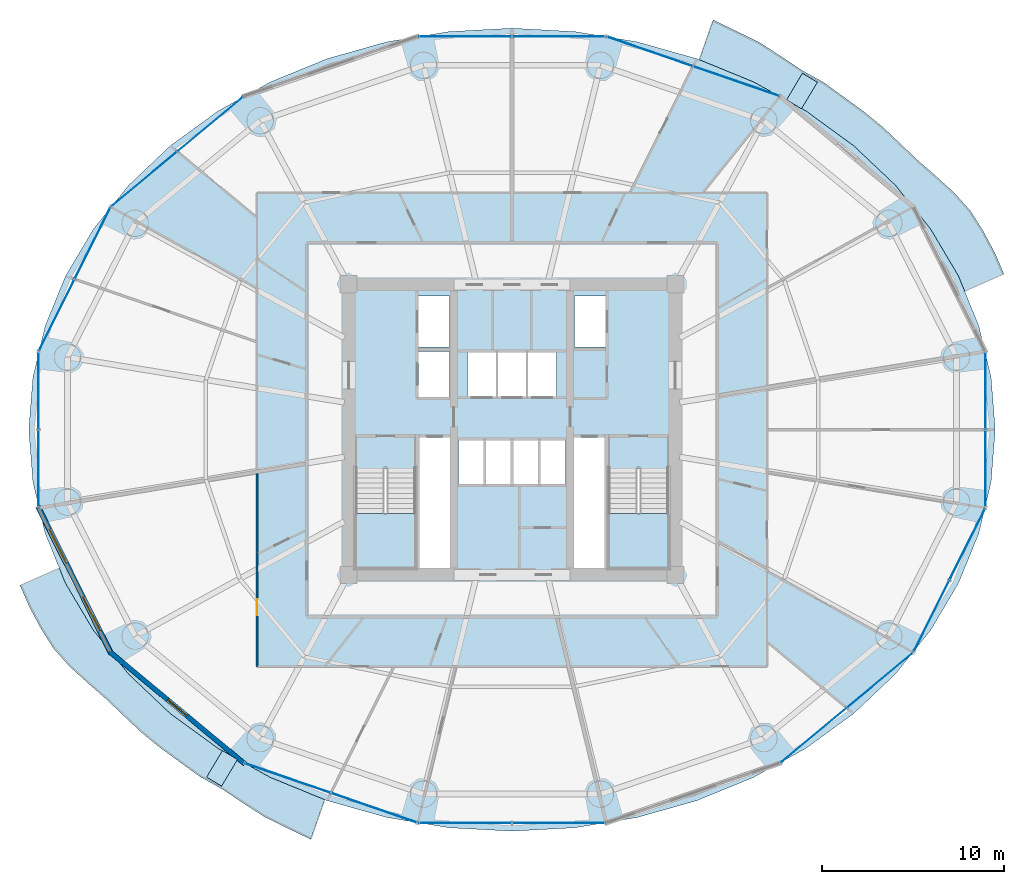
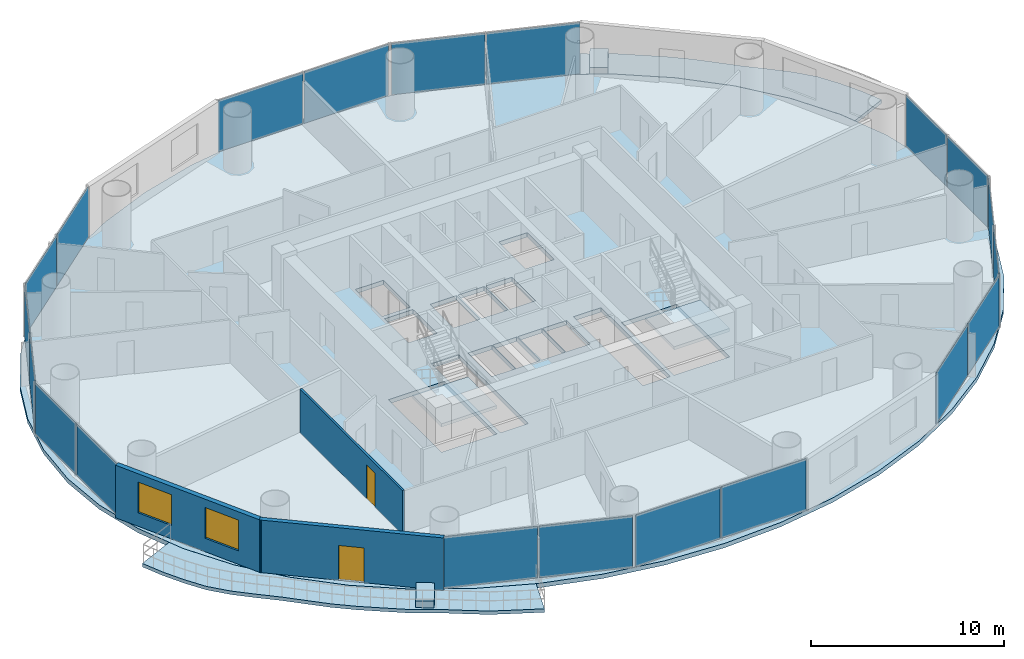
# One storey, part 21 of 29: 20 plates, 7 slabs, 3 walls, 2 doors, 2 windows, 4 openings, 12 elements without a shape of their own.
"""IFC4 building model written with IfcOpenShell, lengths in metres."""

from ifc_helpers import new_model, si_unit, direction, frame, frame_2d, origin, origin_2d, place, context, subcontext, project, spatial, polyline, rectangle, outline, extrude, source, transform, mapped, material, layer, layer_set, type_object, element, fill, aggregate, save


model = new_model("IFC4")

# Units and contexts
model_context = context("Model", 3, precision=1e-05, world=origin(), true_north=direction((-0.2419218956, 0.970295726276)))
body_context = subcontext(model_context, "Body", "Model", "MODEL_VIEW")
ifc_project = project(units=[si_unit("LENGTHUNIT", "METRE"), si_unit("AREAUNIT", "SQUARE_METRE"), si_unit("VOLUMEUNIT", "CUBIC_METRE"), si_unit("PLANEANGLEUNIT", "RADIAN"), si_unit("MASSUNIT", "GRAM", prefix="KILO")], contexts=[model_context])

# Site, building, storey
site_placement = place(None, origin())
site = spatial("IfcSite", under=ifc_project, at=site_placement, CompositionType="ELEMENT")
building_placement = place(site_placement, origin())
building = spatial("IfcBuilding", under=site, at=building_placement, Name="Cobrevalo Terracotta Tower", CompositionType="ELEMENT")
storey_placement = place(building_placement, frame((0.0, 0.0, 83.39990234375)))
storey = spatial("IfcBuildingStorey", under=building, at=storey_placement, Name="L21", CompositionType="ELEMENT", Elevation=83.39990234375)

# Stair, slab
ifc_material_1 = material(Name="Concrete C50", Category="concrete")
stair_type = type_object("IfcStairType", Name="Core protected escape dogleg stair 1600", PredefinedType="HALF_TURN_STAIR", material=ifc_material_1)
stair_1_placement = place(storey_placement, origin())
stair_1 = element("IfcStair", 1, at=stair_1_placement, inside=storey, type_object=stair_type, Name="L21 Protected exit stair ST-1", PredefinedType="HALF_TURN_STAIR")
ifc_layer_1 = layer(ifc_material_1, 0.199951171875)
ifc_layer_set_1 = layer_set([ifc_layer_1], Name="Concrete C50")
slab_type_1 = type_object("IfcSlabType", Name="Reinforced Concrete Stair Landing 200", PredefinedType="LANDING", material=ifc_layer_set_1)
slab_1_placement = place(storey_placement, frame((0.0, 0.0, 1.60009765625)))
slab_1 = element("IfcSlab", 2, at=slab_1_placement, type_object=slab_type_1, Name="ST-1 landing 1", PredefinedType="LANDING", context=body_context, shape_type="SweptSolid", body=[
    extrude(outline(polyline([(29.375, 22.179931640625), (29.375, 19.175048828125), (32.695068359375, 19.175048828125), (32.695068359375, 22.179931640625), (29.375, 22.179931640625)])), origin(), (0.0, 0.0, 1.0), 0.199951171875),
])
aggregate(stair_1, [slab_1])

stair_2_placement = place(storey_placement, origin())
stair_2 = element("IfcStair", 3, at=stair_2_placement, inside=storey, type_object=stair_type, Name="L21 Protected exit stair ST-2", PredefinedType="HALF_TURN_STAIR")
slab_2_placement = place(storey_placement, frame((0.0, 0.0, 1.60009765625)))
slab_2 = element("IfcSlab", 4, at=slab_2_placement, type_object=slab_type_1, Name="ST-2 landing 1", PredefinedType="LANDING", context=body_context, shape_type="SweptSolid", body=[
    extrude(outline(polyline([(43.304931640625, 22.179931640625), (43.304931640625, 19.175048828125), (46.625, 19.175048828125), (46.625, 22.179931640625), (43.304931640625, 22.179931640625)])), origin(), (0.0, 0.0, 1.0), 0.199951171875),
])
aggregate(stair_2, [slab_2])

# Slabs
ifc_material_2 = material(Name="Concrete C45", Category="concrete")
ifc_layer_2 = layer(ifc_material_2, 0.219970703125)
ifc_layer_set_2 = layer_set([ifc_layer_2], Name="Concrete C45")
slab_type_2 = type_object("IfcSlabType", Name="Spiralling cantilevered balcony lobe slab 220 mm", PredefinedType="FLOOR", material=ifc_layer_set_2)
slab_3_placement = place(storey_placement, frame((0.0, 0.0, -0.219970703125)))
element("IfcSlab", 5, at=slab_3_placement, inside=storey, type_object=slab_type_2, Name="L21 spiralling arc balcony slab lobe 1", PredefinedType="FLOOR", context=body_context, shape_type="SweptSolid", body=[
    extrude(outline(polyline([(65.08154296875, 35.3662109375), (64.5634765625, 36.557373046875), (63.943603515625, 37.720703125), (63.241943359375, 38.8349609375), (62.35400390625, 39.830078125), (61.36083984375, 40.734130859375), (60.362060546875, 41.604736328125), (59.395751953125, 42.52490234375), (58.427001953125, 43.440185546875), (57.387451171875, 44.293212890625), (56.28955078125, 45.094482421875), (55.1904296875, 45.89111328125), (53.98193359375, 46.566162109375), (52.82421875, 47.33740234375), (51.640869140625, 48.105224609375), (50.364013671875, 48.731201171875), (49.0771484375, 49.350341796875), (48.313232421875, 47.1650390625), (51.301025390625, 45.94091796875), (54.1943359375, 44.334716796875), (56.810546875, 42.428466796875), (59.104736328125, 40.2548828125), (61.0380859375, 37.85107421875), (62.5771484375, 35.258056640625), (62.923095703125, 34.411376953125), (65.08154296875, 35.3662109375)])), origin(), (0.0, 0.0, 1.0), 0.219970703125),
])
slab_4_placement = place(storey_placement, frame((0.0, 0.0, -0.219970703125)))
element("IfcSlab", 6, at=slab_4_placement, inside=storey, type_object=slab_type_2, Name="L21 spiralling arc balcony slab lobe 2", PredefinedType="FLOOR", context=body_context, shape_type="SweptSolid", body=[
    extrude(outline(polyline([(10.91845703125, 18.23388671875), (11.4365234375, 17.04248046875), (12.056396484375, 15.879150390625), (12.758056640625, 14.764892578125), (13.64599609375, 13.77001953125), (14.63916015625, 12.86572265625), (15.637939453125, 11.995361328125), (16.604248046875, 11.0751953125), (17.572998046875, 10.15966796875), (18.612548828125, 9.306884765625), (19.71044921875, 8.505615234375), (20.8095703125, 7.708984375), (22.01806640625, 7.033935546875), (23.17578125, 6.2626953125), (24.359130859375, 5.49462890625), (25.635986328125, 4.86865234375), (26.9228515625, 4.24951171875), (27.686767578125, 6.434814453125), (24.698974609375, 7.6591796875), (21.8056640625, 9.265380859375), (19.189453125, 11.171630859375), (16.895263671875, 13.34521484375), (14.9619140625, 15.7490234375), (13.4228515625, 18.342041015625), (13.076904296875, 19.188720703125), (10.91845703125, 18.23388671875)])), origin(), (0.0, 0.0, 1.0), 0.219970703125),
])
ifc_material_3 = material(Name="Precast concrete C45", Category="concrete")
ifc_layer_3 = layer(ifc_material_3, 0.419921875)
ifc_layer_set_3 = layer_set([ifc_layer_3], Name="Precast concrete C45")
slab_type_3 = type_object("IfcSlabType", Name="Structural tree planter trough base 420 mm", PredefinedType="USERDEFINED", material=ifc_layer_set_3)
slab_5_placement = place(storey_placement, origin())
element("IfcSlab", 7, at=slab_5_placement, inside=storey, type_object=slab_type_3, Name="L21 structural tree planter trough 1", ObjectType="PLANTER", PredefinedType="USERDEFINED", context=body_context, shape_type="SweptSolid", body=[
    extrude(outline(polyline([(53.935791015625, 44.46484375), (54.80810546875, 45.923828125), (53.984375, 46.41650390625), (53.11181640625, 44.95751953125), (53.935791015625, 44.46484375)])), origin(), (0.0, 0.0, 1.0), 0.420166015625),
])
slab_6_placement = place(storey_placement, origin())
element("IfcSlab", 8, at=slab_6_placement, inside=storey, type_object=slab_type_3, Name="L21 structural tree planter trough 2", ObjectType="PLANTER", PredefinedType="USERDEFINED", context=body_context, shape_type="SweptSolid", body=[
    extrude(outline(polyline([(22.064208984375, 9.13525390625), (21.19189453125, 7.67626953125), (22.015625, 7.183349609375), (22.88818359375, 8.642578125), (22.064208984375, 9.13525390625)])), origin(), (0.0, 0.0, 1.0), 0.420166015625),
])
ifc_layer_4 = layer(ifc_material_1, 0.27490234375)
ifc_layer_set_4 = layer_set([ifc_layer_4], Name="Concrete C50")
slab_type_4 = type_object("IfcSlabType", Name="Zone Z2 elliptical floor plate 275 mm", PredefinedType="FLOOR", material=ifc_layer_set_4)
slab_7_placement = place(storey_placement, frame((0.0, 0.0, -0.27490234375)))
element("IfcSlab", 9, at=slab_7_placement, inside=storey, type_object=slab_type_4, Name="L21 indoor elliptical floor slab", PredefinedType="FLOOR", context=body_context, shape_type="SweptSolid", body=[
    extrude(outline(polyline([(64.372314453125, 23.915283203125), (63.693603515625, 21.080078125), (62.5751953125, 18.3427734375), (61.036376953125, 15.75), (59.103271484375, 13.346435546875), (56.80908203125, 11.1728515625), (54.193115234375, 9.266845703125), (51.300048828125, 7.660888671875), (48.179443359375, 6.38232421875), (44.884521484375, 5.453125), (41.471923828125, 4.88916015625), (38.0, 4.699951171875), (34.528076171875, 4.88916015625), (31.115478515625, 5.453125), (27.820556640625, 6.38232421875), (24.699951171875, 7.660888671875), (21.806884765625, 9.266845703125), (19.19091796875, 11.1728515625), (16.896728515625, 13.346435546875), (14.963623046875, 15.75), (13.4248046875, 18.3427734375), (12.306396484375, 21.080078125), (11.627685546875, 23.915283203125), (11.39990234375, 26.800048828125), (11.627685546875, 29.6845703125), (12.306396484375, 32.52001953125), (13.4248046875, 35.25732421875), (14.963623046875, 37.85009765625), (16.896728515625, 40.253662109375), (19.19091796875, 42.427001953125), (21.806884765625, 44.3330078125), (24.699951171875, 45.939208984375), (27.820556640625, 47.2177734375), (31.115478515625, 48.14697265625), (34.528076171875, 48.7109375), (38.0, 48.89990234375), (41.471923828125, 48.7109375), (44.884521484375, 48.14697265625), (48.179443359375, 47.2177734375), (51.300048828125, 45.939208984375), (54.193115234375, 44.3330078125), (56.80908203125, 42.427001953125), (59.103271484375, 40.253662109375), (61.036376953125, 37.85009765625), (62.5751953125, 35.25732421875), (63.693603515625, 32.52001953125), (64.372314453125, 29.6845703125), (64.60009765625, 26.800048828125), (64.372314453125, 23.915283203125)]), holes=[polyline([(32.695068359375, 19.175048828125), (32.695068359375, 24.659912109375), (29.375, 24.659912109375), (29.375, 19.175048828125), (32.695068359375, 19.175048828125)]), polyline([(34.574951171875, 19.175048828125), (34.574951171875, 26.360107421875), (32.919921875, 26.360107421875), (32.919921875, 19.175048828125), (34.574951171875, 19.175048828125)]), polyline([(36.47998046875, 23.800048828125), (36.47998046875, 26.25), (35.050048828125, 26.25), (35.050048828125, 23.800048828125), (36.47998046875, 23.800048828125)]), polyline([(37.9599609375, 23.800048828125), (37.9599609375, 26.25), (36.530029296875, 26.25), (36.530029296875, 23.800048828125), (37.9599609375, 23.800048828125)]), polyline([(37.1201171875, 28.60009765625), (37.1201171875, 31.050048828125), (35.550048828125, 31.050048828125), (35.550048828125, 28.60009765625), (37.1201171875, 28.60009765625)]), polyline([(34.550048828125, 28.60009765625), (34.550048828125, 31.10009765625), (32.85009765625, 31.10009765625), (32.85009765625, 28.60009765625), (34.550048828125, 28.60009765625)]), polyline([(34.550048828125, 31.35009765625), (34.550048828125, 34.14990234375), (32.85009765625, 34.14990234375), (32.85009765625, 31.35009765625), (34.550048828125, 31.35009765625)]), polyline([(46.625, 19.175048828125), (46.625, 24.659912109375), (43.304931640625, 24.659912109375), (43.304931640625, 19.175048828125), (46.625, 19.175048828125)]), polyline([(43.080078125, 19.175048828125), (43.080078125, 26.360107421875), (41.425048828125, 26.360107421875), (41.425048828125, 19.175048828125), (43.080078125, 19.175048828125)]), polyline([(39.469970703125, 23.800048828125), (39.469970703125, 26.25), (38.0400390625, 26.25), (38.0400390625, 23.800048828125), (39.469970703125, 23.800048828125)]), polyline([(40.949951171875, 23.800048828125), (40.949951171875, 26.25), (39.52001953125, 26.25), (39.52001953125, 23.800048828125), (40.949951171875, 23.800048828125)]), polyline([(38.780029296875, 28.60009765625), (38.780029296875, 31.050048828125), (37.219970703125, 31.050048828125), (37.219970703125, 28.60009765625), (38.780029296875, 28.60009765625)]), polyline([(40.449951171875, 28.60009765625), (40.449951171875, 31.050048828125), (38.8798828125, 31.050048828125), (38.8798828125, 28.60009765625), (40.449951171875, 28.60009765625)]), polyline([(43.14990234375, 31.35009765625), (43.14990234375, 34.14990234375), (41.449951171875, 34.14990234375), (41.449951171875, 31.35009765625), (43.14990234375, 31.35009765625)])]), origin(), (0.0, 0.0, 1.0), 0.27490234375),
])

# Curtain wall, plates
ifc_material_4 = material(Name="Anodized aluminium", Category="aluminium")
curtain_wall_type = type_object("IfcCurtainWallType", Name="Lower-tower unitised acoustic low-E curtain wall CW-U1", PredefinedType="NOTDEFINED", material=ifc_material_4)
curtain_wall_1_placement = place(storey_placement, origin())
curtain_wall_1 = element("IfcCurtainWall", 10, at=curtain_wall_1_placement, inside=storey, type_object=curtain_wall_type, Name="L21 curtain wall CW-L21-S03", PredefinedType="NOTDEFINED")
ifc_material_5 = material(Name="Solar-control low-E double glazing", Category="glass")
ifc_layer_5 = layer(ifc_material_5, 0.028076171875)
ifc_layer_set_5 = layer_set([ifc_layer_5], Name="Solar-control low-E double glazing")
plate_type = type_object("IfcPlateType", Name="Tower solar-control low-E vision glass panel 28 mm", PredefinedType="CURTAIN_PANEL", material=ifc_layer_set_5)
shared_shape_1 = source(origin(), body_context, "Body", "SweptSolid", [
    extrude(rectangle(XDim=4.944580078125, YDim=0.035888671875, at=origin_2d()), origin(), (0.0, 0.0, 1.0), 3.2451171875),
])
plate_1_placement = place(storey_placement, frame((50.34814453125, 45.98095703125, 0.0400390625), z_axis=(0.0, 0.0, 1.0), x_axis=(-0.945596395206, 0.325342062104, 0.0)))
plate_1 = element("IfcPlate", 11, at=plate_1_placement, type_object=plate_type, Name="CW-L21-S03 glazing panel B01", PredefinedType="CURTAIN_PANEL", context=body_context, shape_type="MappedRepresentation", body=[
    mapped(shared_shape_1, transform((0.0, 0.0, 0.0), scale=1.0)),
])
plate_2_placement = place(storey_placement, frame((45.596923828125, 47.615478515625, 0.0400390625), z_axis=(0.0, 0.0, 1.0), x_axis=(-0.945596395206, 0.325342062104, 0.0)))
plate_2 = element("IfcPlate", 12, at=plate_2_placement, type_object=plate_type, Name="CW-L21-S03 glazing panel B02", PredefinedType="CURTAIN_PANEL", context=body_context, shape_type="MappedRepresentation", body=[
    mapped(shared_shape_1, transform((0.0, 0.0, 0.0), scale=1.0)),
])
aggregate(curtain_wall_1, [plate_1, plate_2])

curtain_wall_2_placement = place(storey_placement, origin())
curtain_wall_2 = element("IfcCurtainWall", 13, at=curtain_wall_2_placement, inside=storey, type_object=curtain_wall_type, Name="L21 curtain wall CW-L21-S11", PredefinedType="NOTDEFINED")
plate_3_placement = place(storey_placement, frame((25.65185546875, 7.619140625, 0.0400390625), z_axis=(0.0, 0.0, 1.0), x_axis=(0.945596395206, -0.325342062104, 0.0)))
plate_3 = element("IfcPlate", 14, at=plate_3_placement, type_object=plate_type, Name="CW-L21-S11 glazing panel B01", PredefinedType="CURTAIN_PANEL", context=body_context, shape_type="MappedRepresentation", body=[
    mapped(shared_shape_1, transform((0.0, 0.0, 0.0), scale=1.0)),
])
plate_4_placement = place(storey_placement, frame((30.403076171875, 5.984375, 0.0400390625), z_axis=(0.0, 0.0, 1.0), x_axis=(0.945596395206, -0.325342062104, 0.0)))
plate_4 = element("IfcPlate", 15, at=plate_4_placement, type_object=plate_type, Name="CW-L21-S11 glazing panel B02", PredefinedType="CURTAIN_PANEL", context=body_context, shape_type="MappedRepresentation", body=[
    mapped(shared_shape_1, transform((0.0, 0.0, 0.0), scale=1.0)),
])
aggregate(curtain_wall_2, [plate_3, plate_4])

curtain_wall_3_placement = place(storey_placement, origin())
curtain_wall_3 = element("IfcCurtainWall", 16, at=curtain_wall_3_placement, inside=storey, type_object=curtain_wall_type, Name="L21 curtain wall CW-L21-S04", PredefinedType="NOTDEFINED")
shared_shape_2 = source(origin(), body_context, "Body", "SweptSolid", [
    extrude(rectangle(XDim=5.0634765625, YDim=0.035888671875, at=origin_2d()), origin(), (0.0, 0.0, 1.0), 3.2451171875),
])
plate_5_placement = place(storey_placement, frame((40.57177734375, 48.446044921875, 0.0400390625), z_axis=(0.0, 0.0, 1.0), x_axis=(-1.0, 0.0, 0.0)))
plate_5 = element("IfcPlate", 17, at=plate_5_placement, type_object=plate_type, Name="CW-L21-S04 glazing panel B01", PredefinedType="CURTAIN_PANEL", context=body_context, shape_type="MappedRepresentation", body=[
    mapped(shared_shape_2, transform((0.0, 0.0, 0.0), scale=1.0)),
])
plate_6_placement = place(storey_placement, frame((35.42822265625, 48.446044921875, 0.0400390625), z_axis=(0.0, 0.0, 1.0), x_axis=(-1.0, 0.0, 0.0)))
plate_6 = element("IfcPlate", 18, at=plate_6_placement, type_object=plate_type, Name="CW-L21-S04 glazing panel B02", PredefinedType="CURTAIN_PANEL", context=body_context, shape_type="MappedRepresentation", body=[
    mapped(shared_shape_2, transform((0.0, 0.0, 0.0), scale=1.0)),
])
aggregate(curtain_wall_3, [plate_5, plate_6])

curtain_wall_4_placement = place(storey_placement, origin())
curtain_wall_4 = element("IfcCurtainWall", 19, at=curtain_wall_4_placement, inside=storey, type_object=curtain_wall_type, Name="L21 curtain wall CW-L21-S12", PredefinedType="NOTDEFINED")
plate_7_placement = place(storey_placement, frame((35.42822265625, 5.154052734375, 0.0400390625), z_axis=(0.0, 0.0, 1.0), x_axis=(1.0, 0.0, 0.0)))
plate_7 = element("IfcPlate", 20, at=plate_7_placement, type_object=plate_type, Name="CW-L21-S12 glazing panel B01", PredefinedType="CURTAIN_PANEL", context=body_context, shape_type="MappedRepresentation", body=[
    mapped(shared_shape_2, transform((0.0, 0.0, 0.0), scale=1.0)),
])
plate_8_placement = place(storey_placement, frame((40.57177734375, 5.154052734375, 0.0400390625), z_axis=(0.0, 0.0, 1.0), x_axis=(1.0, 0.0, 0.0)))
plate_8 = element("IfcPlate", 21, at=plate_8_placement, type_object=plate_type, Name="CW-L21-S12 glazing panel B02", PredefinedType="CURTAIN_PANEL", context=body_context, shape_type="MappedRepresentation", body=[
    mapped(shared_shape_2, transform((0.0, 0.0, 0.0), scale=1.0)),
])
aggregate(curtain_wall_4, [plate_7, plate_8])

curtain_wall_5_placement = place(storey_placement, origin())
curtain_wall_5 = element("IfcCurtainWall", 22, at=curtain_wall_5_placement, inside=storey, type_object=curtain_wall_type, Name="L21 curtain wall CW-L21-S06", PredefinedType="NOTDEFINED")
shared_shape_3 = source(origin(), body_context, "Body", "SweptSolid", [
    extrude(rectangle(XDim=4.64501953125, YDim=0.035888671875, at=origin_2d()), origin(), (0.0, 0.0, 1.0), 3.2451171875),
])
plate_9_placement = place(storey_placement, frame((21.390380859375, 43.615478515625, 0.0400390625), z_axis=(0.0, 0.0, 1.0), x_axis=(-0.769241221277, -0.638958483384, 0.0)))
plate_9 = element("IfcPlate", 23, at=plate_9_placement, type_object=plate_type, Name="CW-L21-S06 glazing panel B01", PredefinedType="CURTAIN_PANEL", context=body_context, shape_type="MappedRepresentation", body=[
    mapped(shared_shape_3, transform((0.0, 0.0, 0.0), scale=1.0)),
])
plate_10_placement = place(storey_placement, frame((17.755859375, 40.596435546875, 0.0400390625), z_axis=(0.0, 0.0, 1.0), x_axis=(-0.769241221277, -0.638958483384, 0.0)))
plate_10 = element("IfcPlate", 24, at=plate_10_placement, type_object=plate_type, Name="CW-L21-S06 glazing panel B02", PredefinedType="CURTAIN_PANEL", context=body_context, shape_type="MappedRepresentation", body=[
    mapped(shared_shape_3, transform((0.0, 0.0, 0.0), scale=1.0)),
])
aggregate(curtain_wall_5, [plate_9, plate_10])

curtain_wall_6_placement = place(storey_placement, origin())
curtain_wall_6 = element("IfcCurtainWall", 25, at=curtain_wall_6_placement, inside=storey, type_object=curtain_wall_type, Name="L21 curtain wall CW-L21-S14", PredefinedType="NOTDEFINED")
plate_11_placement = place(storey_placement, frame((54.609619140625, 9.984619140625, 0.0400390625), z_axis=(0.0, 0.0, 1.0), x_axis=(0.769241221277, 0.638958483384, 0.0)))
plate_11 = element("IfcPlate", 26, at=plate_11_placement, type_object=plate_type, Name="CW-L21-S14 glazing panel B01", PredefinedType="CURTAIN_PANEL", context=body_context, shape_type="MappedRepresentation", body=[
    mapped(shared_shape_3, transform((0.0, 0.0, 0.0), scale=1.0)),
])
plate_12_placement = place(storey_placement, frame((58.244140625, 13.00341796875, 0.0400390625), z_axis=(0.0, 0.0, 1.0), x_axis=(0.769241221277, 0.638958483384, 0.0)))
plate_12 = element("IfcPlate", 27, at=plate_12_placement, type_object=plate_type, Name="CW-L21-S14 glazing panel B02", PredefinedType="CURTAIN_PANEL", context=body_context, shape_type="MappedRepresentation", body=[
    mapped(shared_shape_3, transform((0.0, 0.0, 0.0), scale=1.0)),
])
aggregate(curtain_wall_6, [plate_11, plate_12])

curtain_wall_7_placement = place(storey_placement, origin())
curtain_wall_7 = element("IfcCurtainWall", 28, at=curtain_wall_7_placement, inside=storey, type_object=curtain_wall_type, Name="L21 curtain wall CW-L21-S07", PredefinedType="NOTDEFINED")
shared_shape_4 = source(origin(), body_context, "Body", "SweptSolid", [
    extrude(rectangle(XDim=4.3251953125, YDim=0.035888671875, at=origin_2d()), origin(), (0.0, 0.0, 1.0), 3.2451171875),
])
plate_13_placement = place(storey_placement, frame((14.906982421875, 37.0546875, 0.0400390625), z_axis=(0.0, 0.0, 1.0), x_axis=(-0.446261852127, -0.894902430065, 0.0)))
plate_13 = element("IfcPlate", 29, at=plate_13_placement, type_object=plate_type, Name="CW-L21-S07 glazing panel B01", PredefinedType="CURTAIN_PANEL", context=body_context, shape_type="MappedRepresentation", body=[
    mapped(shared_shape_4, transform((0.0, 0.0, 0.0), scale=1.0)),
])
plate_14_placement = place(storey_placement, frame((12.94140625, 33.112548828125, 0.0400390625), z_axis=(0.0, 0.0, 1.0), x_axis=(-0.446261852127, -0.894902430065, 0.0)))
plate_14 = element("IfcPlate", 30, at=plate_14_placement, type_object=plate_type, Name="CW-L21-S07 glazing panel B02", PredefinedType="CURTAIN_PANEL", context=body_context, shape_type="MappedRepresentation", body=[
    mapped(shared_shape_4, transform((0.0, 0.0, 0.0), scale=1.0)),
])
aggregate(curtain_wall_7, [plate_13, plate_14])

curtain_wall_8_placement = place(storey_placement, origin())
curtain_wall_8 = element("IfcCurtainWall", 31, at=curtain_wall_8_placement, inside=storey, type_object=curtain_wall_type, Name="L21 curtain wall CW-L21-S15", PredefinedType="NOTDEFINED")
plate_15_placement = place(storey_placement, frame((61.093017578125, 16.54541015625, 0.0400390625), z_axis=(0.0, 0.0, 1.0), x_axis=(0.446261852127, 0.894902430065, 0.0)))
plate_15 = element("IfcPlate", 32, at=plate_15_placement, type_object=plate_type, Name="CW-L21-S15 glazing panel B01", PredefinedType="CURTAIN_PANEL", context=body_context, shape_type="MappedRepresentation", body=[
    mapped(shared_shape_4, transform((0.0, 0.0, 0.0), scale=1.0)),
])
plate_16_placement = place(storey_placement, frame((63.05859375, 20.487548828125, 0.0400390625), z_axis=(0.0, 0.0, 1.0), x_axis=(0.446261852127, 0.894902430065, 0.0)))
plate_16 = element("IfcPlate", 33, at=plate_16_placement, type_object=plate_type, Name="CW-L21-S15 glazing panel B02", PredefinedType="CURTAIN_PANEL", context=body_context, shape_type="MappedRepresentation", body=[
    mapped(shared_shape_4, transform((0.0, 0.0, 0.0), scale=1.0)),
])
aggregate(curtain_wall_8, [plate_15, plate_16])

curtain_wall_9_placement = place(storey_placement, origin())
curtain_wall_9 = element("IfcCurtainWall", 34, at=curtain_wall_9_placement, inside=storey, type_object=curtain_wall_type, Name="L21 curtain wall CW-L21-S08", PredefinedType="NOTDEFINED")
shared_shape_5 = source(origin(), body_context, "Body", "SweptSolid", [
    extrude(rectangle(XDim=4.185546875, YDim=0.035888671875, at=origin_2d()), origin(), (0.0, 0.0, 1.0), 3.2451171875),
])
plate_17_placement = place(storey_placement, frame((11.9404296875, 28.932861328125, 0.0400390625), z_axis=(0.0, 0.0, 1.0), x_axis=(0.0, -1.0, 0.0)))
plate_17 = element("IfcPlate", 35, at=plate_17_placement, type_object=plate_type, Name="CW-L21-S08 glazing panel B01", PredefinedType="CURTAIN_PANEL", context=body_context, shape_type="MappedRepresentation", body=[
    mapped(shared_shape_5, transform((0.0, 0.0, 0.0), scale=1.0)),
])
plate_18_placement = place(storey_placement, frame((11.9404296875, 24.667236328125, 0.0400390625), z_axis=(0.0, 0.0, 1.0), x_axis=(0.0, -1.0, 0.0)))
plate_18 = element("IfcPlate", 36, at=plate_18_placement, type_object=plate_type, Name="CW-L21-S08 glazing panel B02", PredefinedType="CURTAIN_PANEL", context=body_context, shape_type="MappedRepresentation", body=[
    mapped(shared_shape_5, transform((0.0, 0.0, 0.0), scale=1.0)),
])
aggregate(curtain_wall_9, [plate_17, plate_18])

curtain_wall_10_placement = place(storey_placement, origin())
curtain_wall_10 = element("IfcCurtainWall", 37, at=curtain_wall_10_placement, inside=storey, type_object=curtain_wall_type, Name="L21 curtain wall CW-L21-S16", PredefinedType="NOTDEFINED")
plate_19_placement = place(storey_placement, frame((64.0595703125, 24.667236328125, 0.0400390625), z_axis=(0.0, 0.0, 1.0), x_axis=(0.0, 1.0, 0.0)))
plate_19 = element("IfcPlate", 38, at=plate_19_placement, type_object=plate_type, Name="CW-L21-S16 glazing panel B01", PredefinedType="CURTAIN_PANEL", context=body_context, shape_type="MappedRepresentation", body=[
    mapped(shared_shape_5, transform((0.0, 0.0, 0.0), scale=1.0)),
])
plate_20_placement = place(storey_placement, frame((64.0595703125, 28.932861328125, 0.0400390625), z_axis=(0.0, 0.0, 1.0), x_axis=(0.0, 1.0, 0.0)))
plate_20 = element("IfcPlate", 39, at=plate_20_placement, type_object=plate_type, Name="CW-L21-S16 glazing panel B02", PredefinedType="CURTAIN_PANEL", context=body_context, shape_type="MappedRepresentation", body=[
    mapped(shared_shape_5, transform((0.0, 0.0, 0.0), scale=1.0)),
])
aggregate(curtain_wall_10, [plate_19, plate_20])

# Wall, openings, windows
ifc_material_6 = material(Name="Autoclaved aerated concrete block", Category="concrete")
ifc_layer_6 = layer(ifc_material_6, 0.280029296875)
ifc_layer_set_6 = layer_set([ifc_layer_6], Name="Autoclaved aerated concrete block")
wall_type_1 = type_object("IfcWallType", Name="Insulated tower spandrel & pier wall 280 mm with terracotta rainscreen", PredefinedType="SOLIDWALL", material=ifc_layer_set_6)
wall_1_placement = place(storey_placement, frame((11.90478515625, 22.56591796875, 0.0), z_axis=(0.0, 0.0, 1.0), x_axis=(0.446274562077, -0.894896091869, 0.0)))
wall_1 = element("IfcWall", 40, at=wall_1_placement, inside=storey, type_object=wall_type_1, Name="L21 terracotta rainscreen pier wall S09", PredefinedType="SOLIDWALL", context=body_context, shape_type="SweptSolid", body=[
    extrude(rectangle(XDim=9.050048828125, YDim=0.280029296875, at=frame_2d((4.52490234375, 0.0))), origin(), (0.0, 0.0, 1.0), 3.3251953125),
])
opening_1_placement = place(wall_1_placement, frame((1.3935546875, 0.0, 0.85009765625)))
opening_1 = element("IfcOpeningElement", 41, at=opening_1_placement, cuts=wall_1, Name="Opening WN-10", PredefinedType="OPENING", context=body_context, shape_type="SweptSolid", body=[
    extrude(rectangle(XDim=2.10009765625, YDim=1.949951171875, at=frame_2d((1.050048828125, 0.97509765625))), frame((0.0, 0.14990234375, 0.0), z_axis=(0.0, -1.0, 0.0), x_axis=(1.0, 0.0, 0.0)), (0.0, 0.0, 1.0), 0.300048828125),
])
opening_2_placement = place(wall_1_placement, frame((5.556640625, 0.0, 0.85009765625)))
opening_2 = element("IfcOpeningElement", 42, at=opening_2_placement, cuts=wall_1, Name="Opening WN-10", PredefinedType="OPENING", context=body_context, shape_type="SweptSolid", body=[
    extrude(rectangle(XDim=2.10009765625, YDim=1.949951171875, at=frame_2d((1.050048828125, 0.97509765625))), frame((0.0, 0.14990234375, 0.0), z_axis=(0.0, -1.0, 0.0), x_axis=(1.0, 0.0, 0.0)), (0.0, 0.0, 1.0), 0.300048828125),
])
window_type = type_object("IfcWindowType", Name="Wide panoramic low-E aluminium window 2100x1950", PartitioningType="SINGLE_PANEL", PredefinedType="WINDOW", material=ifc_material_5)
shared_shape_6 = source(origin(), body_context, "Body", "SweptSolid", [
    extrude(rectangle(XDim=2.10009765625, YDim=1.949951171875, at=frame_2d((1.050048828125, 0.97509765625))), frame((0.0, 0.030029296875, 0.0), z_axis=(0.0, -1.0, 0.0), x_axis=(1.0, 0.0, 0.0)), (0.0, 0.0, 1.0), 0.06005859375),
])
window_1_placement = place(opening_1_placement, origin())
window_1 = element("IfcWindow", 43, at=window_1_placement, inside=storey, type_object=window_type, Name="L21 suite window S09A", OverallHeight=1.949951171875, OverallWidth=2.10009765625, PartitioningType="SINGLE_PANEL", PredefinedType="WINDOW", context=body_context, shape_type="MappedRepresentation", body=[
    mapped(shared_shape_6, transform((0.0, 0.0, 0.0), scale=1.0)),
])
fill(opening_1, window_1)
window_2_placement = place(opening_2_placement, origin())
window_2 = element("IfcWindow", 44, at=window_2_placement, inside=storey, type_object=window_type, Name="L21 suite window S09B", OverallHeight=1.949951171875, OverallWidth=2.10009765625, PartitioningType="SINGLE_PANEL", PredefinedType="WINDOW", context=body_context, shape_type="MappedRepresentation", body=[
    mapped(shared_shape_6, transform((0.0, 0.0, 0.0), scale=1.0)),
])
fill(opening_2, window_2)

# Wall, opening, door
ifc_layer_7 = layer(ifc_material_6, 0.260009765625)
ifc_layer_set_7 = layer_set([ifc_layer_7], Name="Autoclaved aerated concrete block")
wall_type_2 = type_object("IfcWallType", Name="Recessed balcony loggia insulated exterior wall 260 mm", PredefinedType="SOLIDWALL", material=ifc_layer_set_7)
wall_2_placement = place(storey_placement, frame((15.84619140625, 14.589599609375, 0.0), z_axis=(0.0, 0.0, 1.0), x_axis=(0.769254958887, -0.638941944333, 0.0)))
wall_2 = element("IfcWall", 45, at=wall_2_placement, inside=storey, type_object=wall_type_2, Name="L21 balcony loggia wall S10", PredefinedType="SOLIDWALL", context=body_context, shape_type="SweptSolid", body=[
    extrude(rectangle(XDim=9.689697265625, YDim=0.260009765625, at=frame_2d((4.8447265625, 0.0))), origin(), (0.0, 0.0, 1.0), 3.3251953125),
])
opening_3_placement = place(wall_2_placement, frame((4.169921875, 0.0, 0.0)))
opening_3 = element("IfcOpeningElement", 46, at=opening_3_placement, cuts=wall_2, Name="Opening ED-05", PredefinedType="OPENING", context=body_context, shape_type="SweptSolid", body=[
    extrude(rectangle(XDim=1.35009765625, YDim=2.199951171875, at=frame_2d((0.675048828125, 1.10009765625))), frame((0.0, 0.14013671875, 0.0), z_axis=(0.0, -1.0, 0.0), x_axis=(1.0, 0.0, 0.0)), (0.0, 0.0, 1.0), 0.280029296875),
])
ifc_material_7 = material(Name="Anodized aluminium and laminated glass", Category="aluminium")
door_type_1 = type_object("IfcDoorType", Name="Suite balcony acoustic glazed terrace door 1350x2200", OperationType="NOTDEFINED", PredefinedType="DOOR", material=ifc_material_7)
shared_shape_7 = source(origin(), body_context, "Body", "SweptSolid", [
    extrude(rectangle(XDim=1.35009765625, YDim=2.199951171875, at=frame_2d((0.675048828125, 1.10009765625))), frame((0.0, 0.02490234375, 0.0), z_axis=(0.0, -1.0, 0.0), x_axis=(1.0, 0.0, 0.0)), (0.0, 0.0, 1.0), 0.050048828125),
])
door_1_placement = place(opening_3_placement, frame((1.35009765625, 0.0, 0.0), z_axis=(0.0, 0.0, 1.0), x_axis=(-1.0, 0.0, 0.0)))
door_1 = element("IfcDoor", 47, at=door_1_placement, inside=storey, type_object=door_type_1, Name="L21 glazed balcony terrace door 2", OperationType="SINGLE_SWING_RIGHT", OverallHeight=2.199951171875, OverallWidth=1.35009765625, PredefinedType="DOOR", context=body_context, shape_type="MappedRepresentation", body=[
    mapped(shared_shape_7, transform((0.0, 0.0, 0.0), scale=1.0)),
])
fill(opening_3, door_1)

ifc_material_8 = material(Name="Gypsum board on steel stud", Category="steel")
ifc_layer_8 = layer(ifc_material_8, 0.1201171875)
ifc_layer_set_8 = layer_set([ifc_layer_8], Name="Gypsum board on steel stud")
wall_type_3 = type_object("IfcWallType", Name="Residential internal acoustic stud partition 120 mm", PredefinedType="PARTITIONING", material=ifc_layer_set_8)
wall_3_placement = place(storey_placement, frame((23.965087890625, 13.764892578125, 0.0), z_axis=(0.0, 0.0, 1.0), x_axis=(0.0, 1.0, 0.0)))
wall_3 = element("IfcWall", 48, at=wall_3_placement, inside=storey, type_object=wall_type_3, Name="L21 interior partition IW-L21-U3-RING1_0", PredefinedType="PARTITIONING", context=body_context, shape_type="SweptSolid", body=[
    extrude(rectangle(XDim=10.61376953125, YDim=0.1201171875, at=frame_2d((5.306884765625, 0.0))), origin(), (0.0, 0.0, 1.0), 2.76708984375),
])
opening_4_placement = place(wall_3_placement, frame((2.814697265625, 0.0, 0.0)))
opening_4 = element("IfcOpeningElement", 49, at=opening_4_placement, cuts=wall_3, Name="Opening ID-12", PredefinedType="OPENING", context=body_context, shape_type="SweptSolid", body=[
    extrude(rectangle(XDim=0.89990234375, YDim=2.14990234375, at=frame_2d((0.449951171875, 1.074951171875))), frame((0.0, 0.070068359375, 0.0), z_axis=(0.0, -1.0, 0.0), x_axis=(1.0, 0.0, 0.0)), (0.0, 0.0, 1.0), 0.14013671875),
])
ifc_material_9 = material(Name="Engineered timber", Category="wood")
door_type_2 = type_object("IfcDoorType", Name="Internal residence & suite timber door 900x2150", OperationType="NOTDEFINED", PredefinedType="DOOR", material=ifc_material_9)
shared_shape_8 = source(origin(), body_context, "Body", "SweptSolid", [
    extrude(rectangle(XDim=0.89990234375, YDim=2.14990234375, at=frame_2d((0.449951171875, 1.074951171875))), frame((0.0, 0.02490234375, 0.0), z_axis=(0.0, -1.0, 0.0), x_axis=(1.0, 0.0, 0.0)), (0.0, 0.0, 1.0), 0.050048828125),
])
door_2_placement = place(opening_4_placement, origin())
door_2 = element("IfcDoor", 50, at=door_2_placement, inside=storey, type_object=door_type_2, Name="Flat L21C Penthouse Living and Dining Room internal door", OperationType="SINGLE_SWING_LEFT", OverallHeight=2.14990234375, OverallWidth=0.89990234375, PredefinedType="DOOR", context=body_context, shape_type="MappedRepresentation", body=[
    mapped(shared_shape_8, transform((0.0, 0.0, 0.0), scale=1.0)),
])
fill(opening_4, door_2)

save(model, "model.ifc")
